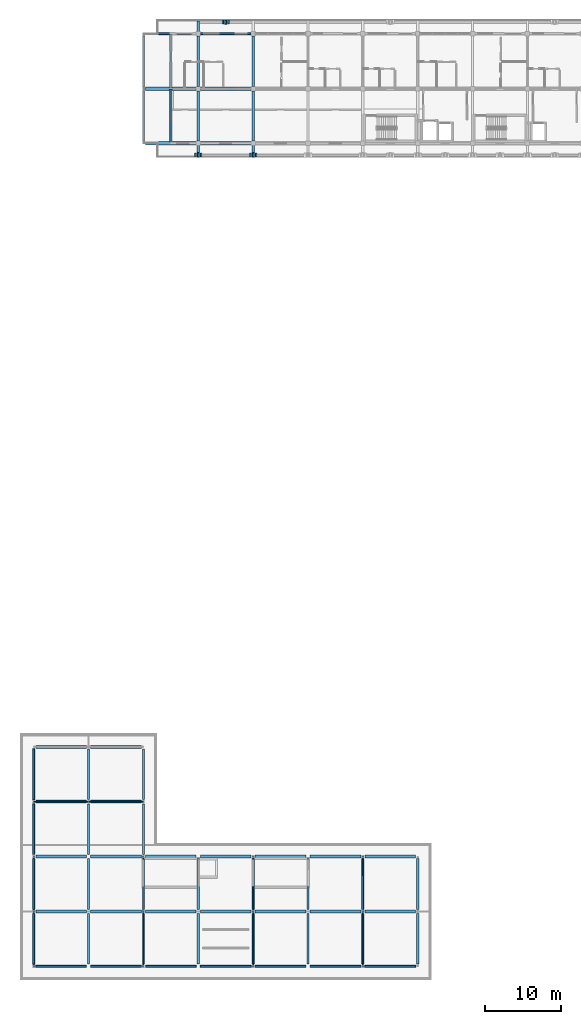
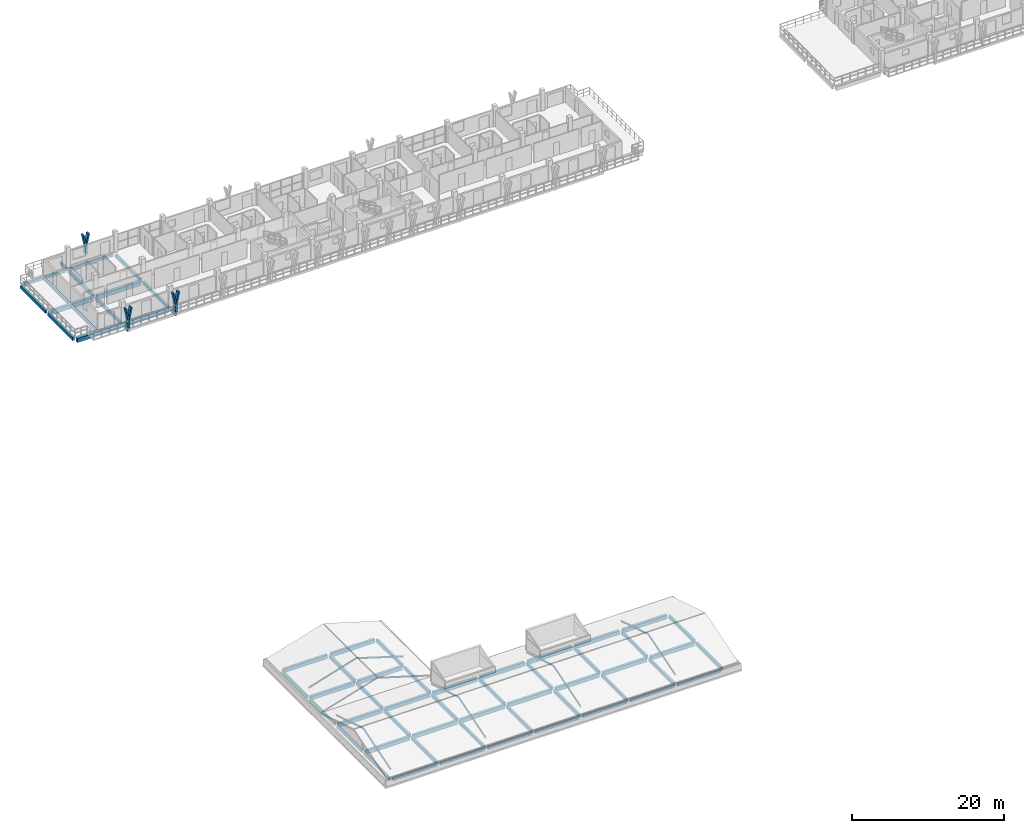
# One storey, part 5 of 60: 74 beams, 9 members.
"""IFC4 building model written with IfcOpenShell, lengths in metres."""

from ifc_helpers import new_model, si_unit, direction, frame, origin, origin_2d, place, context, subcontext, project, spatial, rectangle, i_section, extrude, material, material_profile, profile_set, type_object, element, save


model = new_model("IFC4")

# Units and contexts
model_context = context("Model", 3, precision=1e-05, world=origin(), true_north=direction((0.0, 1.0)))
body_context = subcontext(model_context, "Body", "Model", "MODEL_VIEW")
ifc_project = project(units=[si_unit("LENGTHUNIT", "METRE"), si_unit("AREAUNIT", "SQUARE_METRE"), si_unit("VOLUMEUNIT", "CUBIC_METRE"), si_unit("PLANEANGLEUNIT", "RADIAN"), si_unit("MASSUNIT", "GRAM", prefix="KILO")], contexts=[model_context])

# Site, building, storey
site_placement = place(None, origin())
site = spatial("IfcSite", under=ifc_project, at=site_placement, CompositionType="ELEMENT")
building_placement = place(site_placement, origin())
building = spatial("IfcBuilding", under=site, at=building_placement, Name="Suanplinth Sawtooth Commons", CompositionType="ELEMENT")
storey_placement = place(building_placement, frame((0.0, 0.0, 31.5)))
storey = spatial("IfcBuildingStorey", under=building, at=storey_placement, Name="L09", CompositionType="ELEMENT", Elevation=31.5)

# Beams
ifc_material_1 = material(Name="Precast concrete C40/50", Category="concrete")
ifc_material_profile_1 = material_profile(ifc_material_1, rectangle(XDim=0.449951171875, YDim=0.64990234375, at=origin_2d()), Name="PC-GDR 450x650")
ifc_profile_set_1 = profile_set([ifc_material_profile_1], Name="Precast concrete C40/50")
beam_type_1 = type_object("IfcBeamType", Name="B-04", PredefinedType="USERDEFINED", material=ifc_profile_set_1)
for number, where, z_axis, x_axis, name in (
    (1, (14.699951171875, 108.0, -0.574951171875), (1.0, 0.0, 0.0), (0.0, 1.0, 0.0), "BMX-L09-A-2-15"),
    (2, (14.699951171875, 115.199951171875, -0.574951171875), (1.0, 0.0, 0.0), (0.0, 1.0, 0.0), "BMX-L09-A-2-16"),
    (3, (21.89990234375, 108.0, -0.574951171875), (1.0, 0.0, 0.0), (0.0, 1.0, 0.0), "BMX-L09-A-3-15"),
    (4, (21.89990234375, 115.199951171875, -0.574951171875), (1.0, 0.0, 0.0), (0.0, 1.0, 0.0), "BMX-L09-A-3-16"),
):
    element("IfcBeam", number, at=place(storey_placement, frame(where, z_axis=z_axis, x_axis=x_axis)), inside=storey, type_object=beam_type_1, Name=name, ObjectType="GIRDER", PredefinedType="USERDEFINED", context=body_context, shape_type="SweptSolid", body=[
        extrude(rectangle(XDim=0.449951171875, YDim=0.64990234375, at=origin_2d()), origin(), (0.0, 0.0, 1.0), 6.60009765625),
    ])
ifc_material_profile_2 = material_profile(ifc_material_1, rectangle(XDim=0.39990234375, YDim=0.60009765625, at=origin_2d()), Name="PC-GDR 400x600")
ifc_profile_set_2 = profile_set([ifc_material_profile_2], Name="Precast concrete C40/50")
beam_type_2 = type_object("IfcBeamType", Name="B-05", PredefinedType="USERDEFINED", material=ifc_profile_set_2)
for number, where, z_axis, x_axis, name in (
    (5, (0.27490234375, 7.199951171875, -0.5400390625), (1.0, 0.0, 0.0), (0.0, 1.0, 0.0), "BMX-L09-D-0-1"),
    (6, (0.27490234375, 14.39990234375, -0.5400390625), (1.0, 0.0, 0.0), (0.0, 1.0, 0.0), "BMX-L09-D-0-2"),
    (7, (0.27490234375, 21.60009765625, -0.5400390625), (1.0, 0.0, 0.0), (0.0, 1.0, 0.0), "BMX-L09-D-0-3"),
    (8, (0.27490234375, 28.800048828125, -0.5400390625), (1.0, 0.0, 0.0), (0.0, 1.0, 0.0), "BMX-L09-D-0-4"),
):
    element("IfcBeam", number, at=place(storey_placement, frame(where, z_axis=z_axis, x_axis=x_axis)), inside=storey, type_object=beam_type_2, Name=name, ObjectType="GIRDER", PredefinedType="USERDEFINED", context=body_context, shape_type="SweptSolid", body=[
        extrude(rectangle(XDim=0.39990234375, YDim=0.60009765625, at=origin_2d()), origin(), (0.0, 0.0, 1.0), 6.650146484375),
    ])
for number, where, z_axis, x_axis, name in (
    (9, (7.47509765625, 7.199951171875, -0.5400390625), (1.0, 0.0, 0.0), (0.0, 1.0, 0.0), "BMX-L09-D-1-1"),
    (10, (7.47509765625, 14.39990234375, -0.5400390625), (1.0, 0.0, 0.0), (0.0, 1.0, 0.0), "BMX-L09-D-1-2"),
    (11, (7.47509765625, 21.60009765625, -0.5400390625), (1.0, 0.0, 0.0), (0.0, 1.0, 0.0), "BMX-L09-D-1-3"),
    (12, (7.47509765625, 28.800048828125, -0.5400390625), (1.0, 0.0, 0.0), (0.0, 1.0, 0.0), "BMX-L09-D-1-4"),
    (13, (14.675048828125, 7.199951171875, -0.5400390625), (1.0, 0.0, 0.0), (0.0, 1.0, 0.0), "BMX-L09-D-2-1"),
    (14, (14.675048828125, 14.39990234375, -0.5400390625), (1.0, 0.0, 0.0), (0.0, 1.0, 0.0), "BMX-L09-D-2-2"),
    (15, (21.875, 7.199951171875, -0.5400390625), (1.0, 0.0, 0.0), (0.0, 1.0, 0.0), "BMX-L09-D-3-1"),
    (16, (21.875, 14.39990234375, -0.5400390625), (1.0, 0.0, 0.0), (0.0, 1.0, 0.0), "BMX-L09-D-3-2"),
):
    element("IfcBeam", number, at=place(storey_placement, frame(where, z_axis=z_axis, x_axis=x_axis)), inside=storey, type_object=beam_type_2, Name=name, ObjectType="GIRDER", PredefinedType="USERDEFINED", context=body_context, shape_type="SweptSolid", body=[
        extrude(rectangle(XDim=0.39990234375, YDim=0.60009765625, at=origin_2d()), origin(), (0.0, 0.0, 1.0), 6.64990234375),
    ])
for number, where, z_axis, x_axis, name in (
    (17, (29.074951171875, 7.199951171875, -0.5400390625), (1.0, 0.0, 0.0), (0.0, 1.0, 0.0), "BMX-L09-D-4-1"),
    (18, (29.074951171875, 14.39990234375, -0.5400390625), (1.0, 0.0, 0.0), (0.0, 1.0, 0.0), "BMX-L09-D-4-2"),
    (19, (36.27490234375, 7.199951171875, -0.5400390625), (1.0, 0.0, 0.0), (0.0, 1.0, 0.0), "BMX-L09-D-5-1"),
    (20, (36.27490234375, 14.39990234375, -0.5400390625), (1.0, 0.0, 0.0), (0.0, 1.0, 0.0), "BMX-L09-D-5-2"),
):
    element("IfcBeam", number, at=place(storey_placement, frame(where, z_axis=z_axis, x_axis=x_axis)), inside=storey, type_object=beam_type_2, Name=name, ObjectType="GIRDER", PredefinedType="USERDEFINED", context=body_context, shape_type="SweptSolid", body=[
        extrude(rectangle(XDim=0.39990234375, YDim=0.60009765625, at=origin_2d()), origin(), (0.0, 0.0, 1.0), 6.650146484375),
    ])
for number, where, z_axis, x_axis, name in (
    (21, (43.47509765625, 7.199951171875, -0.5400390625), (1.0, 0.0, 0.0), (0.0, 1.0, 0.0), "BMX-L09-D-6-1"),
    (22, (43.47509765625, 14.39990234375, -0.5400390625), (1.0, 0.0, 0.0), (0.0, 1.0, 0.0), "BMX-L09-D-6-2"),
):
    element("IfcBeam", number, at=place(storey_placement, frame(where, z_axis=z_axis, x_axis=x_axis)), inside=storey, type_object=beam_type_2, Name=name, ObjectType="GIRDER", PredefinedType="USERDEFINED", context=body_context, shape_type="SweptSolid", body=[
        extrude(rectangle(XDim=0.39990234375, YDim=0.60009765625, at=origin_2d()), origin(), (0.0, 0.0, 1.0), 6.64990234375),
    ])
ifc_material_profile_3 = material_profile(ifc_material_1, rectangle(XDim=0.300048828125, YDim=0.5, at=origin_2d()), Name="PC-BM 300x500")
ifc_profile_set_3 = profile_set([ifc_material_profile_3], Name="Precast concrete C40/50")
beam_type_3 = type_object("IfcBeamType", Name="B-07", PredefinedType="BEAM", material=ifc_profile_set_3)
beam_1_placement = place(storey_placement, frame((14.39990234375, 108.300048828125, -0.5), z_axis=(0.0, 1.0, 0.0), x_axis=(-1.0, 0.0, 0.0)))
element("IfcBeam", 23, at=beam_1_placement, inside=storey, type_object=beam_type_3, Name="BMY-L09-A-2-15", PredefinedType="BEAM", context=body_context, shape_type="SweptSolid", body=[
    extrude(rectangle(XDim=0.300048828125, YDim=0.5, at=origin_2d()), origin(), (0.0, 0.0, 1.0), 6.599853515625),
])
beam_2_placement = place(storey_placement, frame((14.39990234375, 115.5, -0.5), z_axis=(0.0, 1.0, 0.0), x_axis=(-1.0, 0.0, 0.0)))
element("IfcBeam", 24, at=beam_2_placement, inside=storey, type_object=beam_type_3, Name="BMY-L09-A-2-16", PredefinedType="BEAM", context=body_context, shape_type="SweptSolid", body=[
    extrude(rectangle(XDim=0.300048828125, YDim=0.5, at=origin_2d()), origin(), (0.0, 0.0, 1.0), 6.60009765625),
])
beam_3_placement = place(storey_placement, frame((21.60009765625, 108.300048828125, -0.5), z_axis=(0.0, 1.0, 0.0), x_axis=(-1.0, 0.0, 0.0)))
element("IfcBeam", 25, at=beam_3_placement, inside=storey, type_object=beam_type_3, Name="BMY-L09-A-3-15", PredefinedType="BEAM", context=body_context, shape_type="SweptSolid", body=[
    extrude(rectangle(XDim=0.300048828125, YDim=0.5, at=origin_2d()), origin(), (0.0, 0.0, 1.0), 6.599853515625),
])
beam_4_placement = place(storey_placement, frame((21.60009765625, 115.5, -0.5), z_axis=(0.0, 1.0, 0.0), x_axis=(-1.0, 0.0, 0.0)))
element("IfcBeam", 26, at=beam_4_placement, inside=storey, type_object=beam_type_3, Name="BMY-L09-A-3-16", PredefinedType="BEAM", context=body_context, shape_type="SweptSolid", body=[
    extrude(rectangle(XDim=0.300048828125, YDim=0.5, at=origin_2d()), origin(), (0.0, 0.0, 1.0), 6.60009765625),
])
beam_5_placement = place(storey_placement, frame((28.800048828125, 108.300048828125, -0.5), z_axis=(0.0, 1.0, 0.0), x_axis=(-1.0, 0.0, 0.0)))
element("IfcBeam", 27, at=beam_5_placement, inside=storey, type_object=beam_type_3, Name="BMY-L09-A-4-15", PredefinedType="BEAM", context=body_context, shape_type="SweptSolid", body=[
    extrude(rectangle(XDim=0.300048828125, YDim=0.5, at=origin_2d()), origin(), (0.0, 0.0, 1.0), 6.599853515625),
])
beam_6_placement = place(storey_placement, frame((28.800048828125, 115.5, -0.5), z_axis=(0.0, 1.0, 0.0), x_axis=(-1.0, 0.0, 0.0)))
element("IfcBeam", 28, at=beam_6_placement, inside=storey, type_object=beam_type_3, Name="BMY-L09-A-4-16", PredefinedType="BEAM", context=body_context, shape_type="SweptSolid", body=[
    extrude(rectangle(XDim=0.300048828125, YDim=0.5, at=origin_2d()), origin(), (0.0, 0.0, 1.0), 6.60009765625),
])
beam_7_placement = place(storey_placement, frame((7.199951171875, 0.27490234375, -0.489990234375), z_axis=(0.0, 1.0, 0.0), x_axis=(-1.0, 0.0, 0.0)))
element("IfcBeam", 29, at=beam_7_placement, inside=storey, type_object=beam_type_3, Name="BMY-L09-D-1-0", PredefinedType="BEAM", context=body_context, shape_type="SweptSolid", body=[
    extrude(rectangle(XDim=0.300048828125, YDim=0.5, at=origin_2d()), origin(), (0.0, 0.0, 1.0), 6.650146484375),
])
for number, where, z_axis, x_axis, name in (
    (30, (7.199951171875, 7.47509765625, -0.489990234375), (0.0, 1.0, 0.0), (-1.0, 0.0, 0.0), "BMY-L09-D-1-1"),
    (31, (7.199951171875, 14.675048828125, -0.489990234375), (0.0, 1.0, 0.0), (-1.0, 0.0, 0.0), "BMY-L09-D-1-2"),
    (32, (7.199951171875, 21.875, -0.489990234375), (0.0, 1.0, 0.0), (-1.0, 0.0, 0.0), "BMY-L09-D-1-3"),
):
    element("IfcBeam", number, at=place(storey_placement, frame(where, z_axis=z_axis, x_axis=x_axis)), inside=storey, type_object=beam_type_3, Name=name, PredefinedType="BEAM", context=body_context, shape_type="SweptSolid", body=[
        extrude(rectangle(XDim=0.300048828125, YDim=0.5, at=origin_2d()), origin(), (0.0, 0.0, 1.0), 6.64990234375),
    ])
beam_8_placement = place(storey_placement, frame((14.39990234375, 0.27490234375, -0.489990234375), z_axis=(0.0, 1.0, 0.0), x_axis=(-1.0, 0.0, 0.0)))
element("IfcBeam", 33, at=beam_8_placement, inside=storey, type_object=beam_type_3, Name="BMY-L09-D-2-0", PredefinedType="BEAM", context=body_context, shape_type="SweptSolid", body=[
    extrude(rectangle(XDim=0.300048828125, YDim=0.5, at=origin_2d()), origin(), (0.0, 0.0, 1.0), 6.650146484375),
])
for number, where, z_axis, x_axis, name in (
    (34, (14.39990234375, 7.47509765625, -0.489990234375), (0.0, 1.0, 0.0), (-1.0, 0.0, 0.0), "BMY-L09-D-2-1"),
    (35, (14.39990234375, 14.675048828125, -0.489990234375), (0.0, 1.0, 0.0), (-1.0, 0.0, 0.0), "BMY-L09-D-2-2"),
    (36, (14.39990234375, 21.875, -0.489990234375), (0.0, 1.0, 0.0), (-1.0, 0.0, 0.0), "BMY-L09-D-2-3"),
):
    element("IfcBeam", number, at=place(storey_placement, frame(where, z_axis=z_axis, x_axis=x_axis)), inside=storey, type_object=beam_type_3, Name=name, PredefinedType="BEAM", context=body_context, shape_type="SweptSolid", body=[
        extrude(rectangle(XDim=0.300048828125, YDim=0.5, at=origin_2d()), origin(), (0.0, 0.0, 1.0), 6.64990234375),
    ])
beam_9_placement = place(storey_placement, frame((21.60009765625, 0.27490234375, -0.489990234375), z_axis=(0.0, 1.0, 0.0), x_axis=(-1.0, 0.0, 0.0)))
element("IfcBeam", 37, at=beam_9_placement, inside=storey, type_object=beam_type_3, Name="BMY-L09-D-3-0", PredefinedType="BEAM", context=body_context, shape_type="SweptSolid", body=[
    extrude(rectangle(XDim=0.300048828125, YDim=0.5, at=origin_2d()), origin(), (0.0, 0.0, 1.0), 6.650146484375),
])
beam_10_placement = place(storey_placement, frame((21.60009765625, 7.47509765625, -0.489990234375), z_axis=(0.0, 1.0, 0.0), x_axis=(-1.0, 0.0, 0.0)))
element("IfcBeam", 38, at=beam_10_placement, inside=storey, type_object=beam_type_3, Name="BMY-L09-D-3-1", PredefinedType="BEAM", context=body_context, shape_type="SweptSolid", body=[
    extrude(rectangle(XDim=0.300048828125, YDim=0.5, at=origin_2d()), origin(), (0.0, 0.0, 1.0), 6.64990234375),
])
beam_11_placement = place(storey_placement, frame((28.800048828125, 0.27490234375, -0.489990234375), z_axis=(0.0, 1.0, 0.0), x_axis=(-1.0, 0.0, 0.0)))
element("IfcBeam", 39, at=beam_11_placement, inside=storey, type_object=beam_type_3, Name="BMY-L09-D-4-0", PredefinedType="BEAM", context=body_context, shape_type="SweptSolid", body=[
    extrude(rectangle(XDim=0.300048828125, YDim=0.5, at=origin_2d()), origin(), (0.0, 0.0, 1.0), 6.650146484375),
])
beam_12_placement = place(storey_placement, frame((28.800048828125, 7.47509765625, -0.489990234375), z_axis=(0.0, 1.0, 0.0), x_axis=(-1.0, 0.0, 0.0)))
element("IfcBeam", 40, at=beam_12_placement, inside=storey, type_object=beam_type_3, Name="BMY-L09-D-4-1", PredefinedType="BEAM", context=body_context, shape_type="SweptSolid", body=[
    extrude(rectangle(XDim=0.300048828125, YDim=0.5, at=origin_2d()), origin(), (0.0, 0.0, 1.0), 6.64990234375),
])
beam_13_placement = place(storey_placement, frame((36.0, 0.27490234375, -0.489990234375), z_axis=(0.0, 1.0, 0.0), x_axis=(-1.0, 0.0, 0.0)))
element("IfcBeam", 41, at=beam_13_placement, inside=storey, type_object=beam_type_3, Name="BMY-L09-D-5-0", PredefinedType="BEAM", context=body_context, shape_type="SweptSolid", body=[
    extrude(rectangle(XDim=0.300048828125, YDim=0.5, at=origin_2d()), origin(), (0.0, 0.0, 1.0), 6.650146484375),
])
beam_14_placement = place(storey_placement, frame((36.0, 7.47509765625, -0.489990234375), z_axis=(0.0, 1.0, 0.0), x_axis=(-1.0, 0.0, 0.0)))
element("IfcBeam", 42, at=beam_14_placement, inside=storey, type_object=beam_type_3, Name="BMY-L09-D-5-1", PredefinedType="BEAM", context=body_context, shape_type="SweptSolid", body=[
    extrude(rectangle(XDim=0.300048828125, YDim=0.5, at=origin_2d()), origin(), (0.0, 0.0, 1.0), 6.64990234375),
])
beam_15_placement = place(storey_placement, frame((43.199951171875, 0.27490234375, -0.489990234375), z_axis=(0.0, 1.0, 0.0), x_axis=(-1.0, 0.0, 0.0)))
element("IfcBeam", 43, at=beam_15_placement, inside=storey, type_object=beam_type_3, Name="BMY-L09-D-6-0", PredefinedType="BEAM", context=body_context, shape_type="SweptSolid", body=[
    extrude(rectangle(XDim=0.300048828125, YDim=0.5, at=origin_2d()), origin(), (0.0, 0.0, 1.0), 6.650146484375),
])
beam_16_placement = place(storey_placement, frame((43.199951171875, 7.47509765625, -0.489990234375), z_axis=(0.0, 1.0, 0.0), x_axis=(-1.0, 0.0, 0.0)))
element("IfcBeam", 44, at=beam_16_placement, inside=storey, type_object=beam_type_3, Name="BMY-L09-D-6-1", PredefinedType="BEAM", context=body_context, shape_type="SweptSolid", body=[
    extrude(rectangle(XDim=0.300048828125, YDim=0.5, at=origin_2d()), origin(), (0.0, 0.0, 1.0), 6.64990234375),
])
beam_17_placement = place(storey_placement, frame((50.39990234375, 0.27490234375, -0.489990234375), z_axis=(0.0, 1.0, 0.0), x_axis=(-1.0, 0.0, 0.0)))
element("IfcBeam", 45, at=beam_17_placement, inside=storey, type_object=beam_type_3, Name="BMY-L09-D-7-0", PredefinedType="BEAM", context=body_context, shape_type="SweptSolid", body=[
    extrude(rectangle(XDim=0.300048828125, YDim=0.5, at=origin_2d()), origin(), (0.0, 0.0, 1.0), 6.650146484375),
])
beam_18_placement = place(storey_placement, frame((50.39990234375, 7.47509765625, -0.489990234375), z_axis=(0.0, 1.0, 0.0), x_axis=(-1.0, 0.0, 0.0)))
element("IfcBeam", 46, at=beam_18_placement, inside=storey, type_object=beam_type_3, Name="BMY-L09-D-7-1", PredefinedType="BEAM", context=body_context, shape_type="SweptSolid", body=[
    extrude(rectangle(XDim=0.300048828125, YDim=0.5, at=origin_2d()), origin(), (0.0, 0.0, 1.0), 6.64990234375),
])
beam_19_placement = place(storey_placement, frame((21.60009765625, 122.39990234375, -0.429931640625), z_axis=(0.0, 1.0, 0.0), x_axis=(-1.0, 0.0, 0.0)))
element("IfcBeam", 47, at=beam_19_placement, inside=storey, type_object=beam_type_3, Name="Balcony Outrigger L09-A-N-3", PredefinedType="BEAM", context=body_context, shape_type="SweptSolid", body=[
    extrude(rectangle(XDim=0.300048828125, YDim=0.5, at=origin_2d()), origin(), (0.0, 0.0, 1.0), 1.64013671875),
])
for number, where, z_axis, x_axis, name in (
    (48, (21.60009765625, 108.0, -0.429931640625), (0.0, -1.0, 0.0), (1.0, 0.0, 0.0), "Balcony Outrigger L09-A-S-3"),
    (49, (28.800048828125, 108.0, -0.429931640625), (0.0, -1.0, 0.0), (1.0, 0.0, 0.0), "Balcony Outrigger L09-A-S-4"),
):
    element("IfcBeam", number, at=place(storey_placement, frame(where, z_axis=z_axis, x_axis=x_axis)), inside=storey, type_object=beam_type_3, Name=name, PredefinedType="BEAM", context=body_context, shape_type="SweptSolid", body=[
        extrude(rectangle(XDim=0.300048828125, YDim=0.5, at=origin_2d()), origin(), (0.0, 0.0, 1.0), 1.639892578125),
    ])
ifc_material_profile_4 = material_profile(ifc_material_1, rectangle(XDim=0.25, YDim=0.449951171875, at=origin_2d()), Name="PC-SP 250x450")
ifc_profile_set_4 = profile_set([ifc_material_profile_4], Name="Precast concrete C40/50")
beam_type_4 = type_object("IfcBeamType", Name="B-09", PredefinedType="SPANDREL", material=ifc_profile_set_4)
for number, where, z_axis, x_axis, name in (
    (50, (14.699951171875, 122.39990234375, -0.47509765625), (1.0, 0.0, 0.0), (0.0, 1.0, 0.0), "BMX-L09-A-2-17"),
    (51, (21.89990234375, 122.39990234375, -0.47509765625), (1.0, 0.0, 0.0), (0.0, 1.0, 0.0), "BMX-L09-A-3-17"),
):
    element("IfcBeam", number, at=place(storey_placement, frame(where, z_axis=z_axis, x_axis=x_axis)), inside=storey, type_object=beam_type_4, Name=name, PredefinedType="SPANDREL", context=body_context, shape_type="SweptSolid", body=[
        extrude(rectangle(XDim=0.25, YDim=0.449951171875, at=origin_2d()), origin(), (0.0, 0.0, 1.0), 6.60009765625),
    ])
beam_20_placement = place(storey_placement, frame((18.0, 108.139892578125, -0.574951171875), z_axis=(0.0, 1.0, 0.0), x_axis=(-1.0, 0.0, 0.0)))
element("IfcBeam", 52, at=beam_20_placement, inside=storey, type_object=beam_type_4, Name="BMY-L09-A-STEP-180-15", PredefinedType="SPANDREL", context=body_context, shape_type="SweptSolid", body=[
    extrude(rectangle(XDim=0.25, YDim=0.449951171875, at=origin_2d()), origin(), (0.0, 0.0, 1.0), 6.980224609375),
])
beam_21_placement = place(storey_placement, frame((18.0, 115.340087890625, -0.574951171875), z_axis=(0.0, 1.0, 0.0), x_axis=(-1.0, 0.0, 0.0)))
element("IfcBeam", 53, at=beam_21_placement, inside=storey, type_object=beam_type_4, Name="BMY-L09-A-STEP-180-16", PredefinedType="SPANDREL", context=body_context, shape_type="SweptSolid", body=[
    extrude(rectangle(XDim=0.25, YDim=0.449951171875, at=origin_2d()), origin(), (0.0, 0.0, 1.0), 6.97998046875),
])
beam_22_placement = place(storey_placement, frame((0.27490234375, 0.0, -0.465087890625), z_axis=(1.0, 0.0, 0.0), x_axis=(0.0, 1.0, 0.0)))
element("IfcBeam", 54, at=beam_22_placement, inside=storey, type_object=beam_type_4, Name="BMX-L09-D-0-0", PredefinedType="SPANDREL", context=body_context, shape_type="SweptSolid", body=[
    extrude(rectangle(XDim=0.25, YDim=0.449951171875, at=origin_2d()), origin(), (0.0, 0.0, 1.0), 6.650146484375),
])
for number, where, z_axis, x_axis, name in (
    (55, (7.47509765625, 0.0, -0.465087890625), (1.0, 0.0, 0.0), (0.0, 1.0, 0.0), "BMX-L09-D-1-0"),
    (56, (14.675048828125, 0.0, -0.465087890625), (1.0, 0.0, 0.0), (0.0, 1.0, 0.0), "BMX-L09-D-2-0"),
    (57, (21.875, 0.0, -0.465087890625), (1.0, 0.0, 0.0), (0.0, 1.0, 0.0), "BMX-L09-D-3-0"),
):
    element("IfcBeam", number, at=place(storey_placement, frame(where, z_axis=z_axis, x_axis=x_axis)), inside=storey, type_object=beam_type_4, Name=name, PredefinedType="SPANDREL", context=body_context, shape_type="SweptSolid", body=[
        extrude(rectangle(XDim=0.25, YDim=0.449951171875, at=origin_2d()), origin(), (0.0, 0.0, 1.0), 6.64990234375),
    ])
for number, where, z_axis, x_axis, name in (
    (58, (29.074951171875, 0.0, -0.465087890625), (1.0, 0.0, 0.0), (0.0, 1.0, 0.0), "BMX-L09-D-4-0"),
    (59, (36.27490234375, 0.0, -0.465087890625), (1.0, 0.0, 0.0), (0.0, 1.0, 0.0), "BMX-L09-D-5-0"),
):
    element("IfcBeam", number, at=place(storey_placement, frame(where, z_axis=z_axis, x_axis=x_axis)), inside=storey, type_object=beam_type_4, Name=name, PredefinedType="SPANDREL", context=body_context, shape_type="SweptSolid", body=[
        extrude(rectangle(XDim=0.25, YDim=0.449951171875, at=origin_2d()), origin(), (0.0, 0.0, 1.0), 6.650146484375),
    ])
beam_23_placement = place(storey_placement, frame((43.47509765625, 0.0, -0.465087890625), z_axis=(1.0, 0.0, 0.0), x_axis=(0.0, 1.0, 0.0)))
element("IfcBeam", 60, at=beam_23_placement, inside=storey, type_object=beam_type_4, Name="BMX-L09-D-6-0", PredefinedType="SPANDREL", context=body_context, shape_type="SweptSolid", body=[
    extrude(rectangle(XDim=0.25, YDim=0.449951171875, at=origin_2d()), origin(), (0.0, 0.0, 1.0), 6.64990234375),
])
beam_24_placement = place(storey_placement, frame((0.0, 0.27490234375, -0.465087890625), z_axis=(0.0, 1.0, 0.0), x_axis=(-1.0, 0.0, 0.0)))
element("IfcBeam", 61, at=beam_24_placement, inside=storey, type_object=beam_type_4, Name="BMY-L09-D-0-0", PredefinedType="SPANDREL", context=body_context, shape_type="SweptSolid", body=[
    extrude(rectangle(XDim=0.25, YDim=0.449951171875, at=origin_2d()), origin(), (0.0, 0.0, 1.0), 6.650146484375),
])
for number, where, z_axis, x_axis, name in (
    (62, (0.0, 7.47509765625, -0.465087890625), (0.0, 1.0, 0.0), (-1.0, 0.0, 0.0), "BMY-L09-D-0-1"),
    (63, (0.0, 14.675048828125, -0.465087890625), (0.0, 1.0, 0.0), (-1.0, 0.0, 0.0), "BMY-L09-D-0-2"),
    (64, (0.0, 21.875, -0.465087890625), (0.0, 1.0, 0.0), (-1.0, 0.0, 0.0), "BMY-L09-D-0-3"),
):
    element("IfcBeam", number, at=place(storey_placement, frame(where, z_axis=z_axis, x_axis=x_axis)), inside=storey, type_object=beam_type_4, Name=name, PredefinedType="SPANDREL", context=body_context, shape_type="SweptSolid", body=[
        extrude(rectangle(XDim=0.25, YDim=0.449951171875, at=origin_2d()), origin(), (0.0, 0.0, 1.0), 6.64990234375),
    ])
ifc_material_2 = material(Name="Steel SS400", Category="steel")
ifc_material_profile_5 = material_profile(ifc_material_2, i_section(OverallWidth=0.1201171875, OverallDepth=0.239990234375, WebThickness=0.006103515625, FlangeThickness=0.009765625, at=origin_2d()), Name="IPE 240")
ifc_profile_set_5 = profile_set([ifc_material_profile_5], Name="Steel SS400")
beam_type_5 = type_object("IfcBeamType", Name="B-14", PredefinedType="BEAM", material=ifc_profile_set_5)
for number, where, z_axis, x_axis, name in (
    (65, (0.0, 0.0, 1.14990234375), (0.0, 0.955232505133, 0.295856149398), (-1.0, 0.0, 0.0), "Crown Rafter S D 1"),
    (66, (0.0, 14.39990234375, 1.14990234375), (0.0, -0.955232505133, 0.295856149398), (1.0, 0.0, 0.0), "Crown Rafter N D 1"),
    (67, (14.39990234375, 0.0, 1.14990234375), (0.0, 0.955232505133, 0.295856149398), (-1.0, 0.0, 0.0), "Crown Rafter S D 3"),
    (68, (14.39990234375, 14.39990234375, 1.14990234375), (0.0, -0.955232505133, 0.295856149398), (1.0, 0.0, 0.0), "Crown Rafter N D 3"),
    (69, (28.800048828125, 0.0, 1.14990234375), (0.0, 0.955232505133, 0.295856149398), (-1.0, 0.0, 0.0), "Crown Rafter S D 5"),
    (70, (28.800048828125, 14.39990234375, 1.14990234375), (0.0, -0.955232505133, 0.295856149398), (1.0, 0.0, 0.0), "Crown Rafter N D 5"),
    (71, (43.199951171875, 0.0, 1.14990234375), (0.0, 0.955232505133, 0.295856149398), (-1.0, 0.0, 0.0), "Crown Rafter S D 7"),
    (72, (43.199951171875, 14.39990234375, 1.14990234375), (0.0, -0.955232505133, 0.295856149398), (1.0, 0.0, 0.0), "Crown Rafter N D 7"),
    (73, (0.0, 21.60009765625, 1.14990234375), (0.955232505133, 0.0, 0.295856149398), (0.0, 1.0, 0.0), "Return Crown Rafter W D"),
    (74, (14.39990234375, 21.60009765625, 1.14990234375), (-0.955232505133, 0.0, 0.295856149398), (0.0, -1.0, 0.0), "Return Crown Rafter E D"),
):
    element("IfcBeam", number, at=place(storey_placement, frame(where, z_axis=z_axis, x_axis=x_axis)), inside=storey, type_object=beam_type_5, Name=name, PredefinedType="BEAM", context=body_context, shape_type="SweptSolid", body=[
        extrude(i_section(OverallWidth=0.1201171875, OverallDepth=0.239990234375, WebThickness=0.006103515625, FlangeThickness=0.009765625, at=origin_2d()), origin(), (0.0, 0.0, 1.0), 7.537353515625),
    ])

# Members
ifc_material_3 = material(Name="Pigmented precast concrete C40/50", Category="concrete")
ifc_material_profile_6 = material_profile(ifc_material_3, rectangle(XDim=0.260009765625, YDim=0.550048828125, at=origin_2d()), Name="PC-FIN 260x550")
ifc_profile_set_6 = profile_set([ifc_material_profile_6], Name="Pigmented precast concrete C40/50")
member_type_1 = type_object("IfcMemberType", Name="M-09", PredefinedType="USERDEFINED", material=ifc_profile_set_6)
for number, where, z_axis, x_axis, name in (
    (75, (25.199951171875, 123.919921875, 0.0), (0.0, 0.0, 1.0), (1.0, 0.0, 0.0), "Y-Blade Stem L09-A-N-01"),
    (76, (21.60009765625, 106.47998046875, 0.0), (0.0, 0.0, 1.0), (1.0, 0.0, 0.0), "Y-Blade Stem L09-A-S-05"),
    (77, (28.800048828125, 106.47998046875, 0.0), (0.0, 0.0, 1.0), (1.0, 0.0, 0.0), "Y-Blade Stem L09-A-S-06"),
):
    element("IfcMember", number, at=place(storey_placement, frame(where, z_axis=z_axis, x_axis=x_axis)), inside=storey, type_object=member_type_1, Name=name, ObjectType="SHADING FIN", PredefinedType="USERDEFINED", context=body_context, shape_type="SweptSolid", body=[
        extrude(rectangle(XDim=0.260009765625, YDim=0.550048828125, at=origin_2d()), origin(), (0.0, 0.0, 1.0), 1.169921875),
    ])
ifc_material_profile_7 = material_profile(ifc_material_3, rectangle(XDim=0.219970703125, YDim=0.550048828125, at=origin_2d()), Name="PC-FIN 220x550")
ifc_profile_set_7 = profile_set([ifc_material_profile_7], Name="Pigmented precast concrete C40/50")
member_type_2 = type_object("IfcMemberType", Name="M-10", PredefinedType="USERDEFINED", material=ifc_profile_set_7)
for number, where, z_axis, x_axis, name in (
    (78, (25.199951171875, 123.919921875, 1.1298828125), (-0.196415357203, 0.0, 0.980520783795), (0.980520783795, 0.0, 0.196415357203), "Y-Blade Arm L L09-A-N-01"),
    (79, (25.199951171875, 123.919921875, 1.1298828125), (0.196530428008, 0.0, 0.98049772609), (-0.98049772609, 0.0, 0.196530428008), "Y-Blade Arm R L09-A-N-01"),
    (80, (21.60009765625, 106.47998046875, 1.1298828125), (-0.196530428008, 0.0, 0.98049772609), (0.98049772609, 0.0, 0.196530428008), "Y-Blade Arm L L09-A-S-05"),
    (81, (21.60009765625, 106.47998046875, 1.1298828125), (0.196415357203, 0.0, 0.980520783795), (-0.980520783795, 0.0, 0.196415357203), "Y-Blade Arm R L09-A-S-05"),
    (82, (28.800048828125, 106.47998046875, 1.1298828125), (-0.196530428008, 0.0, 0.98049772609), (0.98049772609, 0.0, 0.196530428008), "Y-Blade Arm L L09-A-S-06"),
    (83, (28.800048828125, 106.47998046875, 1.1298828125), (0.196415357203, 0.0, 0.980520783795), (-0.980520783795, 0.0, 0.196415357203), "Y-Blade Arm R L09-A-S-06"),
):
    element("IfcMember", number, at=place(storey_placement, frame(where, z_axis=z_axis, x_axis=x_axis)), inside=storey, type_object=member_type_2, Name=name, ObjectType="SHADING FIN", PredefinedType="USERDEFINED", context=body_context, shape_type="SweptSolid", body=[
        extrude(rectangle(XDim=0.219970703125, YDim=0.550048828125, at=origin_2d()), origin(), (0.0, 0.0, 1.0), 2.039794921875),
    ])

save(model, "model.ifc")
